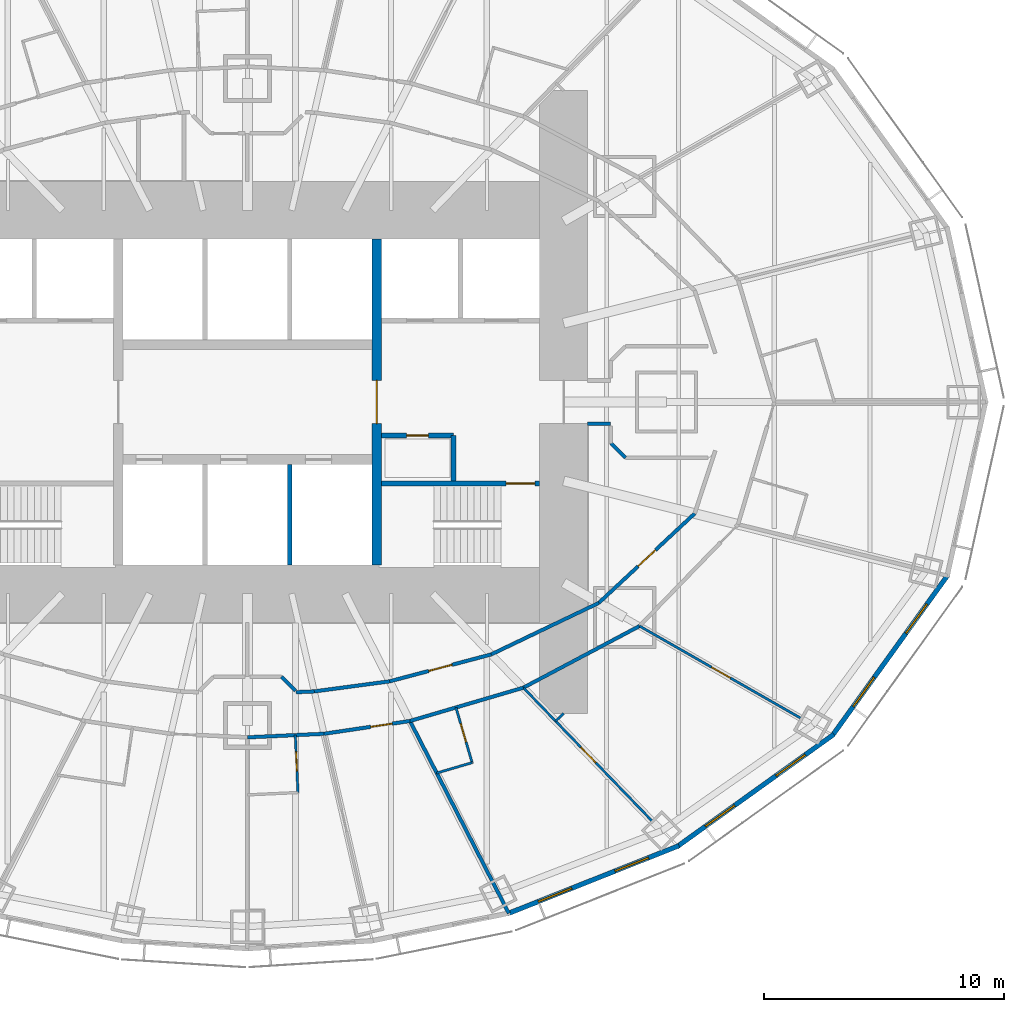
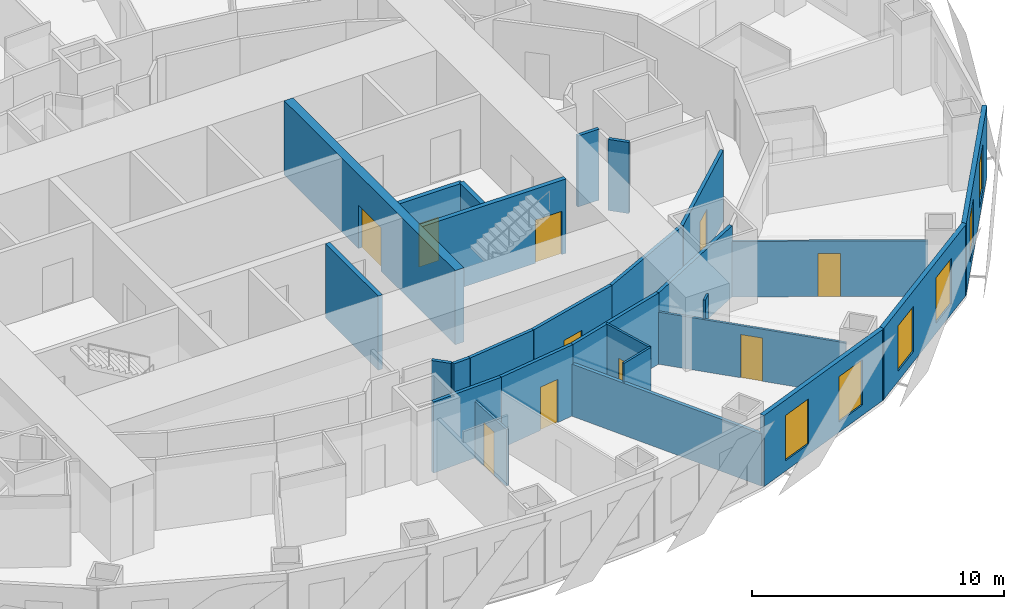
# One storey, part 7 of 15: 27 walls, 10 doors, 6 windows, 16 openings.
"""IFC4 building model written with IfcOpenShell, lengths in metres."""

from ifc_helpers import new_model, si_unit, direction, frame, frame_2d, origin, place, context, subcontext, project, spatial, rectangle, extrude, material, layer, layer_set, type_object, element, fill, save


model = new_model("IFC4")

# Units and contexts
model_context = context("Model", 3, precision=1e-05, world=origin(), true_north=direction((0.0, 1.0)))
body_context = subcontext(model_context, "Body", "Model", "MODEL_VIEW")
ifc_project = project(units=[si_unit("LENGTHUNIT", "METRE"), si_unit("AREAUNIT", "SQUARE_METRE"), si_unit("VOLUMEUNIT", "CUBIC_METRE"), si_unit("PLANEANGLEUNIT", "RADIAN"), si_unit("MASSUNIT", "GRAM", prefix="KILO")], contexts=[model_context])

# Site, building, storey
site_placement = place(None, origin())
site = spatial("IfcSite", under=ifc_project, at=site_placement, CompositionType="ELEMENT")
building_placement = place(site_placement, origin())
building = spatial("IfcBuilding", under=site, at=building_placement, Name="Lantaw Convention Tower", CompositionType="ELEMENT")
storey_placement = place(building_placement, frame((0.0, 0.0, 80.199951171875)))
storey = spatial("IfcBuildingStorey", under=building, at=storey_placement, Name="L18", CompositionType="ELEMENT", Elevation=80.199951171875)

# Wall, opening, door
ifc_material_1 = material(Name="Moisture resistant gypsum board on steel studs", Category="steel")
ifc_layer_1 = layer(ifc_material_1, 0.10009765625)
ifc_layer_set_1 = layer_set([ifc_layer_1], Name="Bathroom wall 100")
wall_type_1 = type_object("IfcWallType", Name="Bathroom wall 100", PredefinedType="PARTITIONING", material=ifc_layer_set_1)
wall_1_placement = place(storey_placement, frame((1.997802734375, -13.9072265625, 0.0), z_axis=(0.0, 0.0, 1.0), x_axis=(0.046492089498, -0.998918658157, 0.0)))
wall_1 = element("IfcWall", 1, at=wall_1_placement, inside=storey, type_object=wall_type_1, Name="Bathroom wall 100", PredefinedType="PARTITIONING", context=body_context, shape_type="SweptSolid", body=[
    extrude(rectangle(XDim=2.39990234375, YDim=0.10009765625, at=frame_2d((1.199951171875, 0.0))), origin(), (0.0, 0.0, 1.0), 2.7490234375),
])
opening_1_placement = place(wall_1_placement, frame((0.699951171875, 0.0, 0.0)))
opening_1 = element("IfcOpeningElement", 2, at=opening_1_placement, cuts=wall_1, Name="Opening L18.45", PredefinedType="OPENING", context=body_context, shape_type="SweptSolid", body=[
    extrude(rectangle(XDim=0.800048828125, YDim=2.10009765625, at=frame_2d((0.39990234375, 1.050048828125))), frame((0.0, 0.06005859375, 0.0), z_axis=(0.0, -1.0, 0.0), x_axis=(1.0, 0.0, 0.0)), (0.0, 0.0, 1.0), 0.1201171875),
])
ifc_material_2 = material(Name="Timber", Category="wood")
door_type_1 = type_object("IfcDoorType", Name="Bathroom door 800", OperationType="SINGLE_SWING_LEFT", PredefinedType="DOOR", material=ifc_material_2)
door_1_placement = place(opening_1_placement, origin())
door_1 = element("IfcDoor", 3, at=door_1_placement, inside=storey, type_object=door_type_1, Name="Bathroom door", OperationType="SINGLE_SWING_LEFT", OverallHeight=2.10009765625, OverallWidth=0.800048828125, PredefinedType="DOOR", context=body_context, shape_type="SweptSolid", body=[
    extrude(rectangle(XDim=0.800048828125, YDim=2.10009765625, at=frame_2d((0.39990234375, 1.050048828125))), frame((0.0, 0.02490234375, 0.0), z_axis=(0.0, -1.0, 0.0), x_axis=(1.0, 0.0, 0.0)), (0.0, 0.0, 1.0), 0.050048828125),
])
fill(opening_1, door_1)

wall_2_placement = place(storey_placement, frame((8.70458984375, -12.75390625, 0.0), z_axis=(0.0, 0.0, 1.0), x_axis=(0.281659633817, -0.959514382736, 0.0)))
wall_2 = element("IfcWall", 4, at=wall_2_placement, inside=storey, type_object=wall_type_1, Name="Bathroom wall 100", PredefinedType="PARTITIONING", context=body_context, shape_type="SweptSolid", body=[
    extrude(rectangle(XDim=2.400146484375, YDim=0.10009765625, at=frame_2d((1.2001953125, 0.0))), origin(), (0.0, 0.0, 1.0), 3.449951171875),
])
opening_2_placement = place(wall_2_placement, frame((0.699951171875, 0.0, 0.0)))
opening_2 = element("IfcOpeningElement", 5, at=opening_2_placement, cuts=wall_2, Name="Opening L18.48", PredefinedType="OPENING", context=body_context, shape_type="SweptSolid", body=[
    extrude(rectangle(XDim=0.800048828125, YDim=2.10009765625, at=frame_2d((0.39990234375, 1.050048828125))), frame((0.0, 0.06005859375, 0.0), z_axis=(0.0, -1.0, 0.0), x_axis=(1.0, 0.0, 0.0)), (0.0, 0.0, 1.0), 0.1201171875),
])
door_2_placement = place(opening_2_placement, origin())
door_2 = element("IfcDoor", 6, at=door_2_placement, inside=storey, type_object=door_type_1, Name="Bathroom door", OperationType="SINGLE_SWING_LEFT", OverallHeight=2.10009765625, OverallWidth=0.800048828125, PredefinedType="DOOR", context=body_context, shape_type="SweptSolid", body=[
    extrude(rectangle(XDim=0.800048828125, YDim=2.10009765625, at=frame_2d((0.39990234375, 1.050048828125))), frame((0.0, 0.02490234375, 0.0), z_axis=(0.0, -1.0, 0.0), x_axis=(1.0, 0.0, 0.0)), (0.0, 0.0, 1.0), 0.050048828125),
])
fill(opening_2, door_2)

# Wall
wall_3_placement = place(storey_placement, frame((9.380615234375, -15.056884765625, 0.0), z_axis=(0.0, 0.0, 1.0), x_axis=(-0.959518451093, -0.281645773999, 0.0)))
element("IfcWall", 7, at=wall_3_placement, inside=storey, type_object=wall_type_1, Name="Bathroom wall 100", PredefinedType="PARTITIONING", context=body_context, shape_type="SweptSolid", body=[
    extrude(rectangle(XDim=1.549072265625, YDim=0.10009765625, at=frame_2d((0.7744140625, 0.0))), origin(), (0.0, 0.0, 1.0), 3.449951171875),
])

# Wall, opening, door
ifc_material_3 = material(Name="Concrete C60/75", Category="concrete")
ifc_layer_2 = layer(ifc_material_3, 0.199951171875)
ifc_layer_set_2 = layer_set([ifc_layer_2], Name="Core wall 200")
wall_type_2 = type_object("IfcWallType", Name="Core wall 200", PredefinedType="SHEAR", material=ifc_layer_set_2)
wall_4_placement = place(storey_placement, frame((5.60009765625, -3.39990234375, 0.0), z_axis=(0.0, 0.0, 1.0), x_axis=(1.0, 0.0, 0.0)))
wall_4 = element("IfcWall", 8, at=wall_4_placement, inside=storey, type_object=wall_type_2, Name="Core wall ES", PredefinedType="SHEAR", context=body_context, shape_type="SweptSolid", body=[
    extrude(rectangle(XDim=6.599853515625, YDim=0.199951171875, at=frame_2d((3.2998046875, 0.0))), origin(), (0.0, 0.0, 1.0), 3.60009765625),
])
opening_3_placement = place(wall_4_placement, frame((5.199951171875, 0.0, 0.0)))
opening_3 = element("IfcOpeningElement", 9, at=opening_3_placement, cuts=wall_4, Name="Opening L18.04", PredefinedType="OPENING", context=body_context, shape_type="SweptSolid", body=[
    extrude(rectangle(XDim=1.199951171875, YDim=2.10009765625, at=frame_2d((0.60009765625, 1.050048828125))), frame((0.0, 0.10986328125, 0.0), z_axis=(0.0, -1.0, 0.0), x_axis=(1.0, 0.0, 0.0)), (0.0, 0.0, 1.0), 0.219970703125),
])
ifc_material_4 = material(Name="Steel, fire rated", Category="steel")
door_type_2 = type_object("IfcDoorType", Name="Stair door FD90", OperationType="SINGLE_SWING_RIGHT", PredefinedType="DOOR", material=ifc_material_4)
door_3_placement = place(opening_3_placement, origin())
door_3 = element("IfcDoor", 10, at=door_3_placement, inside=storey, type_object=door_type_2, Name="Exit stair door", OperationType="SINGLE_SWING_RIGHT", OverallHeight=2.10009765625, OverallWidth=1.199951171875, PredefinedType="DOOR", context=body_context, shape_type="SweptSolid", body=[
    extrude(rectangle(XDim=1.199951171875, YDim=2.10009765625, at=frame_2d((0.60009765625, 1.050048828125))), frame((0.0, 0.02490234375, 0.0), z_axis=(0.0, -1.0, 0.0), x_axis=(1.0, 0.0, 0.0)), (0.0, 0.0, 1.0), 0.050048828125),
])
fill(opening_3, door_3)

ifc_layer_3 = layer(ifc_material_3, 0.39990234375)
ifc_layer_set_3 = layer_set([ifc_layer_3], Name="Core wall 400")
wall_type_3 = type_object("IfcWallType", Name="Core wall 400", PredefinedType="SHEAR", material=ifc_layer_set_3)
wall_5_placement = place(storey_placement, frame((5.39990234375, -6.800048828125, 0.0), z_axis=(0.0, 0.0, 1.0), x_axis=(0.0, 1.0, 0.0)))
wall_5 = element("IfcWall", 11, at=wall_5_placement, inside=storey, type_object=wall_type_3, Name="Core wall XE", PredefinedType="SHEAR", context=body_context, shape_type="SweptSolid", body=[
    extrude(rectangle(XDim=13.60009765625, YDim=0.39990234375, at=frame_2d((6.800048828125, 0.0))), origin(), (0.0, 0.0, 1.0), 3.60009765625),
])
opening_4_placement = place(wall_5_placement, frame((5.89990234375, 0.0, 0.0)))
opening_4 = element("IfcOpeningElement", 12, at=opening_4_placement, cuts=wall_5, Name="Opening L18.02", PredefinedType="OPENING", context=body_context, shape_type="SweptSolid", body=[
    extrude(rectangle(XDim=1.800048828125, YDim=2.10009765625, at=frame_2d((0.89990234375, 1.050048828125))), frame((0.0, 0.2099609375, 0.0), z_axis=(0.0, -1.0, 0.0), x_axis=(1.0, 0.0, 0.0)), (0.0, 0.0, 1.0), 0.419921875),
])
door_type_3 = type_object("IfcDoorType", Name="Lobby double door FD90", OperationType="DOUBLE_DOOR_DOUBLE_SWING", PredefinedType="DOOR", material=ifc_material_4)
door_4_placement = place(opening_4_placement, origin())
door_4 = element("IfcDoor", 13, at=door_4_placement, inside=storey, type_object=door_type_3, Name="Lift lobby door", OperationType="DOUBLE_DOOR_DOUBLE_SWING", OverallHeight=2.10009765625, OverallWidth=1.800048828125, PredefinedType="DOOR", context=body_context, shape_type="SweptSolid", body=[
    extrude(rectangle(XDim=1.800048828125, YDim=2.10009765625, at=frame_2d((0.89990234375, 1.050048828125))), frame((0.0, 0.02490234375, 0.0), z_axis=(0.0, -1.0, 0.0), x_axis=(1.0, 0.0, 0.0)), (0.0, 0.0, 1.0), 0.050048828125),
])
fill(opening_4, door_4)

# Wall
ifc_material_5 = material(Name="Gypsum board on steel studs, fire rated", Category="steel")
ifc_layer_4 = layer(ifc_material_5, 0.14990234375)
ifc_layer_set_4 = layer_set([ifc_layer_4], Name="Corridor wall 150 EI 60")
wall_type_4 = type_object("IfcWallType", Name="Corridor wall 150 EI 60", PredefinedType="PARTITIONING", material=ifc_layer_set_4)
wall_6_placement = place(storey_placement, frame((0.0, -14.0, 0.0), z_axis=(0.0, 0.0, 1.0), x_axis=(0.998920826789, 0.046445471333, 0.0)))
element("IfcWall", 14, at=wall_6_placement, inside=storey, type_object=wall_type_4, Name="Corridor wall 150", PredefinedType="PARTITIONING", context=body_context, shape_type="SweptSolid", body=[
    extrude(rectangle(XDim=3.201171875, YDim=0.14990234375, at=frame_2d((1.6005859375, 0.0))), origin(), (0.0, 0.0, 1.0), 3.449951171875),
])

# Wall, opening, door
wall_7_placement = place(storey_placement, frame((3.19775390625, -13.851318359375, 0.0), z_axis=(0.0, 0.0, 1.0), x_axis=(0.989107488999, 0.14719502439, 0.0)))
wall_7 = element("IfcWall", 15, at=wall_7_placement, inside=storey, type_object=wall_type_4, Name="Corridor wall 150", PredefinedType="PARTITIONING", context=body_context, shape_type="SweptSolid", body=[
    extrude(rectangle(XDim=3.62744140625, YDim=0.14990234375, at=frame_2d((1.813720703125, 0.0))), origin(), (0.0, 0.0, 1.0), 3.449951171875),
])
opening_5_placement = place(wall_7_placement, frame((1.970458984375, 0.0, 0.0)))
opening_5 = element("IfcOpeningElement", 16, at=opening_5_placement, cuts=wall_7, Name="Opening L18.47", PredefinedType="OPENING", context=body_context, shape_type="SweptSolid", body=[
    extrude(rectangle(XDim=0.89990234375, YDim=2.10009765625, at=frame_2d((0.449951171875, 1.050048828125))), frame((0.0, 0.0849609375, 0.0), z_axis=(0.0, -1.0, 0.0), x_axis=(1.0, 0.0, 0.0)), (0.0, 0.0, 1.0), 0.169921875),
])
door_type_4 = type_object("IfcDoorType", Name="Guest room entrance door FD30S", OperationType="SINGLE_SWING_LEFT", PredefinedType="DOOR", material=ifc_material_4)
door_5_placement = place(opening_5_placement, origin())
door_5 = element("IfcDoor", 17, at=door_5_placement, inside=storey, type_object=door_type_4, Name="Suite entrance door", OperationType="SINGLE_SWING_LEFT", OverallHeight=2.10009765625, OverallWidth=0.89990234375, PredefinedType="DOOR", context=body_context, shape_type="SweptSolid", body=[
    extrude(rectangle(XDim=0.89990234375, YDim=2.10009765625, at=frame_2d((0.449951171875, 1.050048828125))), frame((0.0, 0.02490234375, 0.0), z_axis=(0.0, -1.0, 0.0), x_axis=(1.0, 0.0, 0.0)), (0.0, 0.0, 1.0), 0.050048828125),
])
fill(opening_5, door_5)

# Walls
wall_8_placement = place(storey_placement, frame((6.78564453125, -13.3173828125, 0.0), z_axis=(0.0, 0.0, 1.0), x_axis=(0.959496227294, 0.281721475589, 0.0)))
element("IfcWall", 18, at=wall_8_placement, inside=storey, type_object=wall_type_4, Name="Corridor wall 150", PredefinedType="PARTITIONING", context=body_context, shape_type="SweptSolid", body=[
    extrude(rectangle(XDim=4.9326171875, YDim=0.14990234375, at=frame_2d((2.46630859375, 0.0))), origin(), (0.0, 0.0, 1.0), 3.449951171875),
])
wall_9_placement = place(storey_placement, frame((11.5185546875, -11.927734375, 0.0), z_axis=(0.0, 0.0, 1.0), x_axis=(0.883334368785, 0.468743419071, 0.0)))
element("IfcWall", 19, at=wall_9_placement, inside=storey, type_object=wall_type_4, Name="Corridor wall 150", PredefinedType="PARTITIONING", context=body_context, shape_type="SweptSolid", body=[
    extrude(rectangle(XDim=5.4912109375, YDim=0.14990234375, at=frame_2d((2.74560546875, 0.0))), origin(), (0.0, 0.0, 1.0), 3.449951171875),
])
wall_10_placement = place(storey_placement, frame((2.78955078125, -12.0830078125, 0.0), z_axis=(0.0, 0.0, 1.0), x_axis=(0.991129053928, 0.13290296633, 0.0)))
element("IfcWall", 20, at=wall_10_placement, inside=storey, type_object=wall_type_4, Name="Corridor wall 150", PredefinedType="PARTITIONING", context=body_context, shape_type="SweptSolid", body=[
    extrude(rectangle(XDim=3.179931640625, YDim=0.14990234375, at=frame_2d((1.58984375, 0.0))), origin(), (0.0, 0.0, 1.0), 3.449951171875),
])

# Wall, opening, door
wall_11_placement = place(storey_placement, frame((5.941162109375, -11.660400390625, 0.0), z_axis=(0.0, 0.0, 1.0), x_axis=(0.966672790407, 0.256015070428, 0.0)))
wall_11 = element("IfcWall", 21, at=wall_11_placement, inside=storey, type_object=wall_type_4, Name="Corridor wall 150", PredefinedType="PARTITIONING", context=body_context, shape_type="SweptSolid", body=[
    extrude(rectangle(XDim=4.3818359375, YDim=0.14990234375, at=frame_2d((2.19091796875, 0.0))), origin(), (0.0, 0.0, 1.0), 3.449951171875),
])
opening_6_placement = place(wall_11_placement, frame((1.69091796875, 0.0, 0.0)))
opening_6 = element("IfcOpeningElement", 22, at=opening_6_placement, cuts=wall_11, Name="Opening L18.24", PredefinedType="OPENING", context=body_context, shape_type="SweptSolid", body=[
    extrude(rectangle(XDim=1.0, YDim=2.10009765625, at=frame_2d((0.5, 1.050048828125))), frame((0.0, 0.0849609375, 0.0), z_axis=(0.0, -1.0, 0.0), x_axis=(1.0, 0.0, 0.0)), (0.0, 0.0, 1.0), 0.169921875),
])
door_type_5 = type_object("IfcDoorType", Name="Service door 1000 FD30", OperationType="SINGLE_SWING_LEFT", PredefinedType="DOOR", material=ifc_material_4)
door_6_placement = place(opening_6_placement, origin())
door_6 = element("IfcDoor", 23, at=door_6_placement, inside=storey, type_object=door_type_5, Name="Room service pantry door", OperationType="SINGLE_SWING_LEFT", OverallHeight=2.10009765625, OverallWidth=1.0, PredefinedType="DOOR", context=body_context, shape_type="SweptSolid", body=[
    extrude(rectangle(XDim=1.0, YDim=2.10009765625, at=frame_2d((0.5, 1.050048828125))), frame((0.0, 0.02490234375, 0.0), z_axis=(0.0, -1.0, 0.0), x_axis=(1.0, 0.0, 0.0)), (0.0, 0.0, 1.0), 0.050048828125),
])
fill(opening_6, door_6)

# Wall
wall_12_placement = place(storey_placement, frame((10.177001953125, -10.53857421875, 0.0), z_axis=(0.0, 0.0, 1.0), x_axis=(0.901869692799, 0.43200816799, 0.0)))
element("IfcWall", 24, at=wall_12_placement, inside=storey, type_object=wall_type_4, Name="Corridor wall 150", PredefinedType="PARTITIONING", context=body_context, shape_type="SweptSolid", body=[
    extrude(rectangle(XDim=4.985595703125, YDim=0.14990234375, at=frame_2d((2.49267578125, 0.0))), origin(), (0.0, 0.0, 1.0), 3.449951171875),
])

# Wall, opening, door
wall_13_placement = place(storey_placement, frame((14.67333984375, -8.384765625, 0.0), z_axis=(0.0, 0.0, 1.0), x_axis=(0.731260145007, 0.682098673452, 0.0)))
wall_13 = element("IfcWall", 25, at=wall_13_placement, inside=storey, type_object=wall_type_4, Name="Corridor wall 150", PredefinedType="PARTITIONING", context=body_context, shape_type="SweptSolid", body=[
    extrude(rectangle(XDim=5.4677734375, YDim=0.14990234375, at=frame_2d((2.73388671875, 0.0))), origin(), (0.0, 0.0, 1.0), 3.449951171875),
])
opening_7_placement = place(wall_13_placement, frame((2.23388671875, 0.0, 0.0)))
opening_7 = element("IfcOpeningElement", 26, at=opening_7_placement, cuts=wall_13, Name="Opening L18.23", PredefinedType="OPENING", context=body_context, shape_type="SweptSolid", body=[
    extrude(rectangle(XDim=1.0, YDim=2.10009765625, at=frame_2d((0.5, 1.050048828125))), frame((0.0, 0.0849609375, 0.0), z_axis=(0.0, -1.0, 0.0), x_axis=(1.0, 0.0, 0.0)), (0.0, 0.0, 1.0), 0.169921875),
])
door_7_placement = place(opening_7_placement, origin())
door_7 = element("IfcDoor", 27, at=door_7_placement, inside=storey, type_object=door_type_5, Name="Room service pantry door", OperationType="SINGLE_SWING_LEFT", OverallHeight=2.10009765625, OverallWidth=1.0, PredefinedType="DOOR", context=body_context, shape_type="SweptSolid", body=[
    extrude(rectangle(XDim=1.0, YDim=2.10009765625, at=frame_2d((0.5, 1.050048828125))), frame((0.0, 0.02490234375, 0.0), z_axis=(0.0, -1.0, 0.0), x_axis=(1.0, 0.0, 0.0)), (0.0, 0.0, 1.0), 0.050048828125),
])
fill(opening_7, door_7)

# Walls
wall_14_placement = place(storey_placement, frame((2.034912109375, -12.11474609375, 0.0), z_axis=(0.0, 0.0, 1.0), x_axis=(0.999116751279, 0.042020439232, 0.0)))
element("IfcWall", 28, at=wall_14_placement, inside=storey, type_object=wall_type_4, Name="Corridor wall 150", PredefinedType="PARTITIONING", context=body_context, shape_type="SweptSolid", body=[
    extrude(rectangle(XDim=0.75537109375, YDim=0.14990234375, at=frame_2d((0.377685546875, 0.0))), origin(), (0.0, 0.0, 1.0), 3.449951171875),
])
wall_15_placement = place(storey_placement, frame((1.424560546875, -11.47509765625, 0.0), z_axis=(0.0, 0.0, 1.0), x_axis=(0.707256164678, -0.706957366129, 0.0)))
element("IfcWall", 29, at=wall_15_placement, inside=storey, type_object=wall_type_4, Name="Corridor wall 150", PredefinedType="PARTITIONING", context=body_context, shape_type="SweptSolid", body=[
    extrude(rectangle(XDim=0.817138671875, YDim=0.14990234375, at=frame_2d((0.40869140625, 0.0))), origin(), (0.0, 0.0, 1.0), 3.449951171875),
])
wall_16_placement = place(storey_placement, frame((14.199951171875, -0.89990234375, 0.0), z_axis=(0.0, 0.0, 1.0), x_axis=(1.0, 0.0, 0.0)))
element("IfcWall", 30, at=wall_16_placement, inside=storey, type_object=wall_type_4, Name="Corridor wall 150", PredefinedType="PARTITIONING", context=body_context, shape_type="SweptSolid", body=[
    extrude(rectangle(XDim=0.965087890625, YDim=0.14990234375, at=frame_2d((0.482421875, 0.0))), origin(), (0.0, 0.0, 1.0), 3.449951171875),
])
wall_17_placement = place(storey_placement, frame((15.775390625, -2.324951171875, 0.0), z_axis=(0.0, 0.0, 1.0), x_axis=(-0.707106781187, 0.707106781187, 0.0)))
element("IfcWall", 31, at=wall_17_placement, inside=storey, type_object=wall_type_4, Name="Corridor wall 150", PredefinedType="PARTITIONING", context=body_context, shape_type="SweptSolid", body=[
    extrude(rectangle(XDim=0.84912109375, YDim=0.14990234375, at=frame_2d((0.424560546875, 0.0))), origin(), (0.0, 0.0, 1.0), 3.449951171875),
])

# Wall, openings, windows
ifc_material_6 = material(Name="Insulated aluminium panel on steel frame", Category="steel")
ifc_layer_5 = layer(ifc_material_6, 0.199951171875)
ifc_layer_set_5 = layer_set([ifc_layer_5], Name="External wall 200")
wall_type_5 = type_object("IfcWallType", Name="External wall 200", PredefinedType="SOLIDWALL", material=ifc_layer_set_5)
wall_18_placement = place(storey_placement, frame((10.869384765625, -21.362548828125, 0.0), z_axis=(0.0, 0.0, 1.0), x_axis=(0.929358351251, 0.369178892895, 0.0)))
wall_18 = element("IfcWall", 32, at=wall_18_placement, inside=storey, type_object=wall_type_5, Name="Facade panel wall", PredefinedType="SOLIDWALL", context=body_context, shape_type="SweptSolid", body=[
    extrude(rectangle(XDim=7.6923828125, YDim=0.199951171875, at=frame_2d((3.84619140625, 0.0))), origin(), (0.0, 0.0, 1.0), 3.449951171875),
])
opening_8_placement = place(wall_18_placement, frame((1.373046875, 0.0, 0.5)))
opening_8 = element("IfcOpeningElement", 33, at=opening_8_placement, cuts=wall_18, Name="Opening W2", PredefinedType="OPENING", context=body_context, shape_type="SweptSolid", body=[
    extrude(rectangle(XDim=1.5, YDim=2.199951171875, at=frame_2d((0.75, 1.10009765625))), frame((0.0, 0.10986328125, 0.0), z_axis=(0.0, -1.0, 0.0), x_axis=(1.0, 0.0, 0.0)), (0.0, 0.0, 1.0), 0.219970703125),
])
opening_9_placement = place(wall_18_placement, frame((4.819091796875, 0.0, 0.5)))
opening_9 = element("IfcOpeningElement", 34, at=opening_9_placement, cuts=wall_18, Name="Opening W2", PredefinedType="OPENING", context=body_context, shape_type="SweptSolid", body=[
    extrude(rectangle(XDim=1.5, YDim=2.199951171875, at=frame_2d((0.75, 1.10009765625))), frame((0.0, 0.10986328125, 0.0), z_axis=(0.0, -1.0, 0.0), x_axis=(1.0, 0.0, 0.0)), (0.0, 0.0, 1.0), 0.219970703125),
])
ifc_material_7 = material(Name="Aluminium frame, clear insulating glass", Category="aluminium")
window_type = type_object("IfcWindowType", Name="Suite window 1500x2200", PartitioningType="SINGLE_PANEL", PredefinedType="WINDOW", material=ifc_material_7)
window_1_placement = place(opening_8_placement, origin())
window_1 = element("IfcWindow", 35, at=window_1_placement, inside=storey, type_object=window_type, Name="Guest room window", OverallHeight=2.199951171875, OverallWidth=1.5, PartitioningType="SINGLE_PANEL", PredefinedType="WINDOW", context=body_context, shape_type="SweptSolid", body=[
    extrude(rectangle(XDim=1.5, YDim=2.199951171875, at=frame_2d((0.75, 1.10009765625))), frame((0.0, 0.030029296875, 0.0), z_axis=(0.0, -1.0, 0.0), x_axis=(1.0, 0.0, 0.0)), (0.0, 0.0, 1.0), 0.06005859375),
])
fill(opening_8, window_1)
window_2_placement = place(opening_9_placement, origin())
window_2 = element("IfcWindow", 36, at=window_2_placement, inside=storey, type_object=window_type, Name="Guest room window", OverallHeight=2.199951171875, OverallWidth=1.5, PartitioningType="SINGLE_PANEL", PredefinedType="WINDOW", context=body_context, shape_type="SweptSolid", body=[
    extrude(rectangle(XDim=1.5, YDim=2.199951171875, at=frame_2d((0.75, 1.10009765625))), frame((0.0, 0.030029296875, 0.0), z_axis=(0.0, -1.0, 0.0), x_axis=(1.0, 0.0, 0.0)), (0.0, 0.0, 1.0), 0.06005859375),
])
fill(opening_9, window_2)

wall_19_placement = place(storey_placement, frame((17.9287109375, -18.57177734375, 0.0), z_axis=(0.0, 0.0, 1.0), x_axis=(0.812791321576, 0.582554948112, 0.0)))
wall_19 = element("IfcWall", 37, at=wall_19_placement, inside=storey, type_object=wall_type_5, Name="Facade panel wall", PredefinedType="SOLIDWALL", context=body_context, shape_type="SweptSolid", body=[
    extrude(rectangle(XDim=8.063232421875, YDim=0.199951171875, at=frame_2d((4.03173828125, 0.0))), origin(), (0.0, 0.0, 1.0), 3.449951171875),
])
opening_10_placement = place(wall_19_placement, frame((1.4658203125, 0.0, 0.5)))
opening_10 = element("IfcOpeningElement", 38, at=opening_10_placement, cuts=wall_19, Name="Opening W2", PredefinedType="OPENING", context=body_context, shape_type="SweptSolid", body=[
    extrude(rectangle(XDim=1.5, YDim=2.199951171875, at=frame_2d((0.75, 1.10009765625))), frame((0.0, 0.10986328125, 0.0), z_axis=(0.0, -1.0, 0.0), x_axis=(1.0, 0.0, 0.0)), (0.0, 0.0, 1.0), 0.219970703125),
])
opening_11_placement = place(wall_19_placement, frame((5.097412109375, 0.0, 0.5)))
opening_11 = element("IfcOpeningElement", 39, at=opening_11_placement, cuts=wall_19, Name="Opening W2", PredefinedType="OPENING", context=body_context, shape_type="SweptSolid", body=[
    extrude(rectangle(XDim=1.5, YDim=2.199951171875, at=frame_2d((0.75, 1.10009765625))), frame((0.0, 0.10986328125, 0.0), z_axis=(0.0, -1.0, 0.0), x_axis=(1.0, 0.0, 0.0)), (0.0, 0.0, 1.0), 0.219970703125),
])
window_3_placement = place(opening_10_placement, origin())
window_3 = element("IfcWindow", 40, at=window_3_placement, inside=storey, type_object=window_type, Name="Guest room window", OverallHeight=2.199951171875, OverallWidth=1.5, PartitioningType="SINGLE_PANEL", PredefinedType="WINDOW", context=body_context, shape_type="SweptSolid", body=[
    extrude(rectangle(XDim=1.5, YDim=2.199951171875, at=frame_2d((0.75, 1.10009765625))), frame((0.0, 0.030029296875, 0.0), z_axis=(0.0, -1.0, 0.0), x_axis=(1.0, 0.0, 0.0)), (0.0, 0.0, 1.0), 0.06005859375),
])
fill(opening_10, window_3)
window_4_placement = place(opening_11_placement, origin())
window_4 = element("IfcWindow", 41, at=window_4_placement, inside=storey, type_object=window_type, Name="Guest room window", OverallHeight=2.199951171875, OverallWidth=1.5, PartitioningType="SINGLE_PANEL", PredefinedType="WINDOW", context=body_context, shape_type="SweptSolid", body=[
    extrude(rectangle(XDim=1.5, YDim=2.199951171875, at=frame_2d((0.75, 1.10009765625))), frame((0.0, 0.030029296875, 0.0), z_axis=(0.0, -1.0, 0.0), x_axis=(1.0, 0.0, 0.0)), (0.0, 0.0, 1.0), 0.06005859375),
])
fill(opening_11, window_4)

wall_20_placement = place(storey_placement, frame((24.400390625, -13.95654296875, 0.0), z_axis=(0.0, 0.0, 1.0), x_axis=(0.583937613703, 0.811798536155, 0.0)))
wall_20 = element("IfcWall", 42, at=wall_20_placement, inside=storey, type_object=wall_type_5, Name="Facade panel wall", PredefinedType="SOLIDWALL", context=body_context, shape_type="SweptSolid", body=[
    extrude(rectangle(XDim=8.322998046875, YDim=0.199951171875, at=frame_2d((4.16162109375, 0.0))), origin(), (0.0, 0.0, 1.0), 3.449951171875),
])
opening_12_placement = place(wall_20_placement, frame((1.53076171875, 0.0, 0.5)))
opening_12 = element("IfcOpeningElement", 43, at=opening_12_placement, cuts=wall_20, Name="Opening W2", PredefinedType="OPENING", context=body_context, shape_type="SweptSolid", body=[
    extrude(rectangle(XDim=1.5, YDim=2.199951171875, at=frame_2d((0.75, 1.10009765625))), frame((0.0, 0.10986328125, 0.0), z_axis=(0.0, -1.0, 0.0), x_axis=(1.0, 0.0, 0.0)), (0.0, 0.0, 1.0), 0.219970703125),
])
opening_13_placement = place(wall_20_placement, frame((5.292236328125, 0.0, 0.5)))
opening_13 = element("IfcOpeningElement", 44, at=opening_13_placement, cuts=wall_20, Name="Opening W2", PredefinedType="OPENING", context=body_context, shape_type="SweptSolid", body=[
    extrude(rectangle(XDim=1.5, YDim=2.199951171875, at=frame_2d((0.75, 1.10009765625))), frame((0.0, 0.10986328125, 0.0), z_axis=(0.0, -1.0, 0.0), x_axis=(1.0, 0.0, 0.0)), (0.0, 0.0, 1.0), 0.219970703125),
])
window_5_placement = place(opening_12_placement, origin())
window_5 = element("IfcWindow", 45, at=window_5_placement, inside=storey, type_object=window_type, Name="Guest room window", OverallHeight=2.199951171875, OverallWidth=1.5, PartitioningType="SINGLE_PANEL", PredefinedType="WINDOW", context=body_context, shape_type="SweptSolid", body=[
    extrude(rectangle(XDim=1.5, YDim=2.199951171875, at=frame_2d((0.75, 1.10009765625))), frame((0.0, 0.030029296875, 0.0), z_axis=(0.0, -1.0, 0.0), x_axis=(1.0, 0.0, 0.0)), (0.0, 0.0, 1.0), 0.06005859375),
])
fill(opening_12, window_5)
window_6_placement = place(opening_13_placement, origin())
window_6 = element("IfcWindow", 46, at=window_6_placement, inside=storey, type_object=window_type, Name="Guest room window", OverallHeight=2.199951171875, OverallWidth=1.5, PartitioningType="SINGLE_PANEL", PredefinedType="WINDOW", context=body_context, shape_type="SweptSolid", body=[
    extrude(rectangle(XDim=1.5, YDim=2.199951171875, at=frame_2d((0.75, 1.10009765625))), frame((0.0, 0.030029296875, 0.0), z_axis=(0.0, -1.0, 0.0), x_axis=(1.0, 0.0, 0.0)), (0.0, 0.0, 1.0), 0.06005859375),
])
fill(opening_13, window_6)

# Walls
ifc_material_8 = material(Name="Gypsum board on steel studs, acoustic", Category="steel")
ifc_layer_6 = layer(ifc_material_8, 0.14990234375)
ifc_layer_set_6 = layer_set([ifc_layer_6], Name="Guest room party wall 150")
wall_type_6 = type_object("IfcWallType", Name="Guest room party wall 150", PredefinedType="PARTITIONING", material=ifc_layer_set_6)
wall_21_placement = place(storey_placement, frame((10.911865234375, -21.345703125, 0.0), z_axis=(0.0, 0.0, 1.0), x_axis=(-0.457117602022, 0.889406261458, 0.0)))
element("IfcWall", 47, at=wall_21_placement, inside=storey, type_object=wall_type_6, Name="Guest room party wall 150", PredefinedType="PARTITIONING", context=body_context, shape_type="SweptSolid", body=[
    extrude(rectangle(XDim=9.026611328125, YDim=0.14990234375, at=frame_2d((4.51318359375, 0.0))), origin(), (0.0, 0.0, 1.0), 2.528076171875),
])
ifc_layer_7 = layer(ifc_material_8, 0.10009765625)
ifc_layer_set_7 = layer_set([ifc_layer_7], Name="Office partition 100")
wall_type_7 = type_object("IfcWallType", Name="Office partition 100", PredefinedType="PARTITIONING", material=ifc_layer_set_7)
wall_22_placement = place(storey_placement, frame((13.199951171875, -13.0, 0.0), z_axis=(0.0, 0.0, 1.0), x_axis=(-0.719347134512, -0.69465077562, 0.0)))
element("IfcWall", 48, at=wall_22_placement, inside=storey, type_object=wall_type_7, Name="Office partition 100", PredefinedType="PARTITIONING", context=body_context, shape_type="SweptSolid", body=[
    extrude(rectangle(XDim=0.464599609375, YDim=0.10009765625, at=frame_2d((0.232421875, 0.0))), origin(), (0.0, 0.0, 1.0), 3.449951171875),
])

# Wall, opening, door
ifc_material_9 = material(Name="Concrete blockwork, fire rated", Category="masonry")
ifc_layer_8 = layer(ifc_material_9, 0.199951171875)
ifc_layer_set_8 = layer_set([ifc_layer_8], Name="Plant room wall 200 EI 120")
wall_type_8 = type_object("IfcWallType", Name="Plant room wall 200 EI 120", PredefinedType="SOLIDWALL", material=ifc_layer_set_8)
wall_23_placement = place(storey_placement, frame((5.60009765625, -1.39990234375, 0.0), z_axis=(0.0, 0.0, 1.0), x_axis=(1.0, 0.0, 0.0)))
wall_23 = element("IfcWall", 49, at=wall_23_placement, inside=storey, type_object=wall_type_8, Name="Plant room wall 200", PredefinedType="SOLIDWALL", context=body_context, shape_type="SweptSolid", body=[
    extrude(rectangle(XDim=3.0, YDim=0.199951171875, at=frame_2d((1.5, 0.0))), origin(), (0.0, 0.0, 1.0), 3.449951171875),
])
opening_14_placement = place(wall_23_placement, frame((1.050048828125, 0.0, 0.0)))
opening_14 = element("IfcOpeningElement", 50, at=opening_14_placement, cuts=wall_23, Name="Opening L18.01", PredefinedType="OPENING", context=body_context, shape_type="SweptSolid", body=[
    extrude(rectangle(XDim=0.89990234375, YDim=2.10009765625, at=frame_2d((0.449951171875, 1.050048828125))), frame((0.0, 0.10986328125, 0.0), z_axis=(0.0, -1.0, 0.0), x_axis=(1.0, 0.0, 0.0)), (0.0, 0.0, 1.0), 0.219970703125),
])
door_type_6 = type_object("IfcDoorType", Name="Service door 900 FD60", OperationType="SINGLE_SWING_LEFT", PredefinedType="DOOR", material=ifc_material_4)
door_8_placement = place(opening_14_placement, origin())
door_8 = element("IfcDoor", 51, at=door_8_placement, inside=storey, type_object=door_type_6, Name="Staff WC door", OperationType="SINGLE_SWING_LEFT", OverallHeight=2.10009765625, OverallWidth=0.89990234375, PredefinedType="DOOR", context=body_context, shape_type="SweptSolid", body=[
    extrude(rectangle(XDim=0.89990234375, YDim=2.10009765625, at=frame_2d((0.449951171875, 1.050048828125))), frame((0.0, 0.02490234375, 0.0), z_axis=(0.0, -1.0, 0.0), x_axis=(1.0, 0.0, 0.0)), (0.0, 0.0, 1.0), 0.050048828125),
])
fill(opening_14, door_8)

# Walls
wall_24_placement = place(storey_placement, frame((8.60009765625, -1.39990234375, 0.0), z_axis=(0.0, 0.0, 1.0), x_axis=(0.0, -1.0, 0.0)))
element("IfcWall", 52, at=wall_24_placement, inside=storey, type_object=wall_type_8, Name="Plant room wall 200", PredefinedType="SOLIDWALL", context=body_context, shape_type="SweptSolid", body=[
    extrude(rectangle(XDim=1.900146484375, YDim=0.199951171875, at=frame_2d((0.9501953125, 0.0))), origin(), (0.0, 0.0, 1.0), 3.449951171875),
])
ifc_layer_9 = layer(ifc_material_9, 0.199951171875)
ifc_layer_set_9 = layer_set([ifc_layer_9], Name="Shaft wall 200 load-bearing")
wall_type_9 = type_object("IfcWallType", Name="Shaft wall 200 load-bearing", PredefinedType="SOLIDWALL", material=ifc_layer_set_9)
wall_25_placement = place(storey_placement, frame((1.7666015625, -2.60009765625, 0.0), z_axis=(0.0, 0.0, 1.0), x_axis=(0.0, -1.0, 0.0)))
element("IfcWall", 53, at=wall_25_placement, inside=storey, type_object=wall_type_9, Name="Shaft wall DS2", PredefinedType="SOLIDWALL", context=body_context, shape_type="SweptSolid", body=[
    extrude(rectangle(XDim=4.199951171875, YDim=0.199951171875, at=frame_2d((2.10009765625, 0.0))), origin(), (0.0, 0.0, 1.0), 3.60009765625),
])

# Wall, opening, door
ifc_material_10 = material(Name="Gypsum board on steel studs", Category="steel")
ifc_layer_10 = layer(ifc_material_10, 0.10009765625)
ifc_layer_set_10 = layer_set([ifc_layer_10], Name="Suite partition 100")
wall_type_10 = type_object("IfcWallType", Name="Suite partition 100", PredefinedType="PARTITIONING", material=ifc_layer_set_10)
wall_26_placement = place(storey_placement, frame((16.943603515625, -17.54541015625, 0.0), z_axis=(0.0, 0.0, 1.0), x_axis=(-0.694666479492, 0.719331969448, 0.0)))
wall_26 = element("IfcWall", 54, at=wall_26_placement, inside=storey, type_object=wall_type_10, Name="Suite partition 100", PredefinedType="PARTITIONING", context=body_context, shape_type="SweptSolid", body=[
    extrude(rectangle(XDim=7.8095703125, YDim=0.10009765625, at=frame_2d((3.90478515625, 0.0))), origin(), (0.0, 0.0, 1.0), 2.528076171875),
])
opening_15_placement = place(wall_26_placement, frame((3.454833984375, 0.0, 0.0)))
opening_15 = element("IfcOpeningElement", 55, at=opening_15_placement, cuts=wall_26, Name="Opening L18.49", PredefinedType="OPENING", context=body_context, shape_type="SweptSolid", body=[
    extrude(rectangle(XDim=0.89990234375, YDim=2.10009765625, at=frame_2d((0.449951171875, 1.050048828125))), frame((0.0, 0.06005859375, 0.0), z_axis=(0.0, -1.0, 0.0), x_axis=(1.0, 0.0, 0.0)), (0.0, 0.0, 1.0), 0.1201171875),
])
door_type_7 = type_object("IfcDoorType", Name="Suite door 900", OperationType="SINGLE_SWING_LEFT", PredefinedType="DOOR", material=ifc_material_2)
door_9_placement = place(opening_15_placement, origin())
door_9 = element("IfcDoor", 56, at=door_9_placement, inside=storey, type_object=door_type_7, Name="Bedroom door", OperationType="SINGLE_SWING_LEFT", OverallHeight=2.10009765625, OverallWidth=0.89990234375, PredefinedType="DOOR", context=body_context, shape_type="SweptSolid", body=[
    extrude(rectangle(XDim=0.89990234375, YDim=2.10009765625, at=frame_2d((0.449951171875, 1.050048828125))), frame((0.0, 0.02490234375, 0.0), z_axis=(0.0, -1.0, 0.0), x_axis=(1.0, 0.0, 0.0)), (0.0, 0.0, 1.0), 0.050048828125),
])
fill(opening_15, door_9)

wall_27_placement = place(storey_placement, frame((23.1708984375, -13.240478515625, 0.0), z_axis=(0.0, 0.0, 1.0), x_axis=(-0.868243142124, 0.496138938357, 0.0)))
wall_27 = element("IfcWall", 57, at=wall_27_placement, inside=storey, type_object=wall_type_10, Name="Suite partition 100", PredefinedType="PARTITIONING", context=body_context, shape_type="SweptSolid", body=[
    extrude(rectangle(XDim=7.833984375, YDim=0.10009765625, at=frame_2d((3.9169921875, 0.0))), origin(), (0.0, 0.0, 1.0), 2.693115234375),
])
opening_16_placement = place(wall_27_placement, frame((3.467041015625, 0.0, 0.0)))
opening_16 = element("IfcOpeningElement", 58, at=opening_16_placement, cuts=wall_27, Name="Opening L18.50", PredefinedType="OPENING", context=body_context, shape_type="SweptSolid", body=[
    extrude(rectangle(XDim=0.89990234375, YDim=2.10009765625, at=frame_2d((0.449951171875, 1.050048828125))), frame((0.0, 0.06005859375, 0.0), z_axis=(0.0, -1.0, 0.0), x_axis=(1.0, 0.0, 0.0)), (0.0, 0.0, 1.0), 0.1201171875),
])
door_10_placement = place(opening_16_placement, origin())
door_10 = element("IfcDoor", 59, at=door_10_placement, inside=storey, type_object=door_type_7, Name="Kitchenette door", OperationType="SINGLE_SWING_LEFT", OverallHeight=2.10009765625, OverallWidth=0.89990234375, PredefinedType="DOOR", context=body_context, shape_type="SweptSolid", body=[
    extrude(rectangle(XDim=0.89990234375, YDim=2.10009765625, at=frame_2d((0.449951171875, 1.050048828125))), frame((0.0, 0.02490234375, 0.0), z_axis=(0.0, -1.0, 0.0), x_axis=(1.0, 0.0, 0.0)), (0.0, 0.0, 1.0), 0.050048828125),
])
fill(opening_16, door_10)

save(model, "model.ifc")
